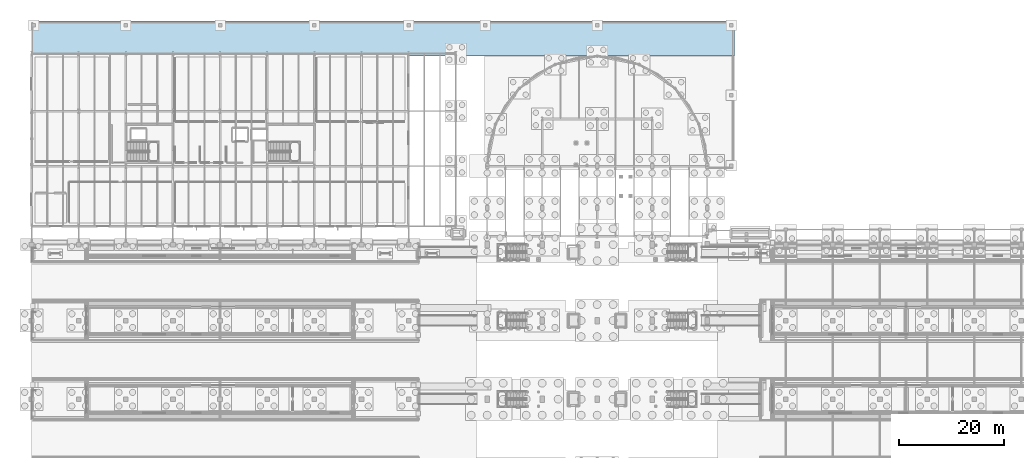
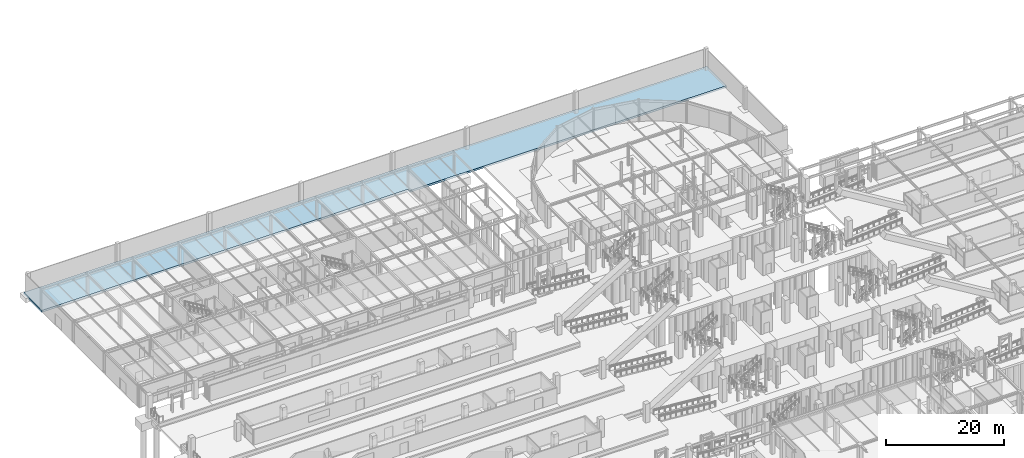
# One storey, part 95 of 160: 1 slab.
"""IFC4 building model written with IfcOpenShell, lengths in metres."""

import ifcopenshell
import ifcopenshell.guid

model = None  # the IFC model being written
_history = None  # IfcOwnerHistory: only IFC2X3 demands one
_inside = {}  # id of a spatial element -> (the spatial element, [elements in it])
_under = {}  # id of a project, library or spatial element -> (it, [spatial elements below it])
_declared = {}  # id of a project -> (the project, [libraries it declares])
_typed = {}  # id of a type object -> (the type object, [elements of that type])
_made_of = {}  # id of a material, layer set ... -> (it, [elements and type objects made of it])


def new_model(schema):
    """Start an empty IFC model of exactly this schema.

    Asked for "IFC4X3", IfcOpenShell would pick the latest addendum, in which some entities
    have other attributes; the version numbers below select the first issue.
    IFC2X3 requires an IfcOwnerHistory on every rooted entity: one is made here for all.
    """
    global model, _history
    if schema == "IFC4X3":
        model = ifcopenshell.file(schema_version=(4, 3, 0, 0))
    else:
        model = ifcopenshell.file(schema=schema)
    _inside.clear()
    _under.clear()
    _declared.clear()
    _typed.clear()
    _made_of.clear()
    _history = None
    if model.schema == "IFC2X3":
        org = make("IfcOrganization", Name="unknown")
        user = make(
            "IfcPersonAndOrganization",
            ThePerson=make("IfcPerson", FamilyName="unknown"),
            TheOrganization=org,
        )
        app = make(
            "IfcApplication",
            ApplicationDeveloper=org,
            Version="unknown",
            ApplicationFullName="unknown",
            ApplicationIdentifier="unknown",
        )
        _history = make(
            "IfcOwnerHistory",
            OwningUser=user,
            OwningApplication=app,
            ChangeAction="ADDED",
            CreationDate=0,
        )
    return model


def make(cls, **values):
    """One entity of the class cls with the attributes given. An attribute that is None is left unset."""
    return model.create_entity(
        cls, **{name: value for name, value in values.items() if value is not None}
    )


def rooted(cls, **values):
    """An entity with a GlobalId (a new one), such as an element, a storey or a relation."""
    return make(cls, GlobalId=ifcopenshell.guid.new(), OwnerHistory=_history, **values)


def si_unit(unit_type, name, prefix=None):
    """IfcSIUnit, for example si_unit("LENGTHUNIT", "METRE", prefix="MILLI")."""
    return make("IfcSIUnit", UnitType=unit_type, Prefix=prefix, Name=name)


def assignment(units):
    """IfcUnitAssignment: the units of a project."""
    return None if units is None else make("IfcUnitAssignment", Units=units)


def point(xyz):
    """IfcCartesianPoint."""
    return None if xyz is None else make("IfcCartesianPoint", Coordinates=xyz)


def direction(xyz):
    """IfcDirection."""
    return None if xyz is None else make("IfcDirection", DirectionRatios=xyz)


def frame(location, z_axis=None, x_axis=None):
    """IfcAxis2Placement3D, a coordinate frame: its origin and axes. An axis left out is left unset."""
    return make(
        "IfcAxis2Placement3D",
        Location=point(location),
        Axis=direction(z_axis),
        RefDirection=direction(x_axis),
    )


def origin():
    """The frame at (0, 0, 0) with its axes left unset."""
    return frame((0.0, 0.0, 0.0))


def place(relative_to, where):
    """IfcLocalPlacement: puts the frame where relative to a parent placement (None: the world)."""
    return make(
        "IfcLocalPlacement", PlacementRelTo=relative_to, RelativePlacement=where
    )


def context(
    kind, dimensions, precision=None, world=None, true_north=None, identifier=None
):
    """IfcGeometricRepresentationContext, for example the 3D "Model" context."""
    return make(
        "IfcGeometricRepresentationContext",
        ContextIdentifier=identifier,
        ContextType=kind,
        CoordinateSpaceDimension=dimensions,
        Precision=precision,
        WorldCoordinateSystem=world,
        TrueNorth=true_north,
    )


def subcontext(parent, identifier, kind, view, scale=None):
    """IfcGeometricRepresentationSubContext, for example "Body" below "Model"."""
    return make(
        "IfcGeometricRepresentationSubContext",
        ContextIdentifier=identifier,
        ContextType=kind,
        ParentContext=parent,
        TargetScale=scale,
        TargetView=view,
    )


def project(units=None, contexts=None):
    """IfcProject with its units and contexts."""
    return rooted(
        "IfcProject",
        Name="project",
        RepresentationContexts=contexts,
        UnitsInContext=assignment(units),
    )


def spatial(cls, under=None, at=None, **own):
    """A site, building, storey or space (cls), placed at a placement, below another one or the project."""
    s = rooted(cls, ObjectPlacement=at, **own)
    if under is not None:
        _under.setdefault(under.id(), (under, []))[1].append(s)
    return s


def polyline(points):
    """IfcPolyline through the points."""
    return make("IfcPolyline", Points=[point(p) for p in points])


def outline(outer, holes=None, kind="AREA"):
    """IfcArbitraryClosedProfileDef: a profile drawn as a closed curve; with holes, ...WithVoids."""
    if holes is None:
        return make("IfcArbitraryClosedProfileDef", ProfileType=kind, OuterCurve=outer)
    return make(
        "IfcArbitraryProfileDefWithVoids",
        ProfileType=kind,
        OuterCurve=outer,
        InnerCurves=holes,
    )


def extrude(swept, where, along, depth):
    """IfcExtrudedAreaSolid: the profile swept, set in the frame where, extruded along a direction by depth."""
    return make(
        "IfcExtrudedAreaSolid",
        SweptArea=swept,
        Position=where,
        ExtrudedDirection=direction(along),
        Depth=depth,
    )


def shape(context_of_items, identifier, shape_type, items):
    """IfcShapeRepresentation: the items that make up one representation, for example the "Body"."""
    return make(
        "IfcShapeRepresentation",
        ContextOfItems=context_of_items,
        RepresentationIdentifier=identifier,
        RepresentationType=shape_type,
        Items=items,
    )


def material(Name=None, Category=None):
    """IfcMaterial."""
    return make("IfcMaterial", Name=Name, Category=Category)


def layer(
    of_material, thickness, ventilated=None, Name=None, Category=None, Priority=None
):
    """IfcMaterialLayer: one layer of a wall or slab, of a material (None: an air gap)."""
    return make(
        "IfcMaterialLayer",
        Material=of_material,
        LayerThickness=thickness,
        IsVentilated=ventilated,
        Name=Name,
        Category=Category,
        Priority=Priority,
    )


def layer_set(layers, Name=None):
    """IfcMaterialLayerSet."""
    return make("IfcMaterialLayerSet", MaterialLayers=layers, LayerSetName=Name)


def made_of(thing, what):
    """Note that an element or type object is made of a material, layer set ...; save() writes the relation."""
    if what is not None:
        _made_of.setdefault(what.id(), (what, []))[1].append(thing)
    return thing


def type_object(cls, material=None, **own):
    """A type object (cls), such as IfcWallType, which elements share."""
    return made_of(rooted(cls, **own), material)


def element(
    cls,
    number,
    at=None,
    inside=None,
    cuts=None,
    type_object=None,
    material=None,
    context=None,
    identifier="Body",
    shape_type=None,
    held_by="IfcProductDefinitionShape",
    body=None,
    shapes=None,
    **own,
):
    """One element of the class cls, such as IfcWall. Its Tag is "e" and its number.

    at: its placement. inside: the storey or other place that contains it. cuts: it is an
    opening in that element (IfcRelVoidsElement). A single representation is given by context,
    identifier, shape_type and body (its items); several are given by shapes. held_by: the class
    of the entity that holds the representations. save() writes the other relations.
    """
    e = rooted(cls, Tag="e%d" % number, ObjectPlacement=at, **own)
    if body is not None:
        shapes = [shape(context, identifier, shape_type, body)]
    if shapes is not None:
        e.Representation = make(held_by, Representations=shapes)
    if inside is not None:
        _inside.setdefault(inside.id(), (inside, []))[1].append(e)
    if cuts is not None:
        rooted(
            "IfcRelVoidsElement", RelatingBuildingElement=cuts, RelatedOpeningElement=e
        )
    if type_object is not None:
        _typed.setdefault(type_object.id(), (type_object, []))[1].append(e)
    return made_of(e, material)


def aggregate(whole, parts):
    """IfcRelAggregates: a whole, such as a stair, and the parts it consists of."""
    return rooted("IfcRelAggregates", RelatingObject=whole, RelatedObjects=parts)


def save(model, path):
    """Write the relations noted so far, then the file.

    IfcRelAggregates (storeys below a building ...), IfcRelContainedInSpatialStructure (elements
    in a storey), IfcRelDefinesByType, IfcRelAssociatesMaterial and IfcRelDeclares: one each for
    every whole, place, type object, material and project.
    """
    for whole, parts in _under.values():
        aggregate(whole, parts)
    for where, things in _inside.values():
        rooted(
            "IfcRelContainedInSpatialStructure",
            RelatedElements=things,
            RelatingStructure=where,
        )
    for kind, things in _typed.values():
        rooted("IfcRelDefinesByType", RelatedObjects=things, RelatingType=kind)
    for what, things in _made_of.values():
        rooted("IfcRelAssociatesMaterial", RelatedObjects=things, RelatingMaterial=what)
    for by, libraries in _declared.values():
        rooted("IfcRelDeclares", RelatingContext=by, RelatedDefinitions=libraries)
    model.write(path)


model = new_model("IFC4")

# Units and contexts
model_context = context("Model", 3, precision=1e-05, world=origin(), true_north=direction((0.0, 1.0)))
body_context = subcontext(model_context, "Body", "Model", "MODEL_VIEW")
ifc_project = project(units=[si_unit("LENGTHUNIT", "METRE"), si_unit("AREAUNIT", "SQUARE_METRE"), si_unit("VOLUMEUNIT", "CUBIC_METRE"), si_unit("PLANEANGLEUNIT", "RADIAN"), si_unit("MASSUNIT", "GRAM", prefix="KILO")], contexts=[model_context])

# Site, building, storey
site_placement = place(None, origin())
site = spatial("IfcSite", under=ifc_project, at=site_placement, CompositionType="ELEMENT")
building_placement = place(site_placement, origin())
building = spatial("IfcBuilding", under=site, at=building_placement, Name="Marlcrest Central Station", CompositionType="ELEMENT")
storey_placement = place(building_placement, origin())
storey = spatial("IfcBuildingStorey", under=building, at=storey_placement, Name="L00", CompositionType="ELEMENT", Elevation=0.0)

# Slab
ifc_material = material(Name="Concrete C35/45", Category="concrete")
ifc_layer = layer(ifc_material, 0.39990234375, Name="BS-02")
ifc_layer_set = layer_set([ifc_layer], Name="Concrete C35/45")
slab_type = type_object("IfcSlabType", Name="BS-02", PredefinedType="BASESLAB", material=ifc_layer_set)
slab_placement = place(storey_placement, frame((0.0, 0.0, -0.39990234375)))
element("IfcSlab", 1, at=slab_placement, inside=storey, type_object=slab_type, Name="slab-L00-0025", PredefinedType="BASESLAB", context=body_context, shape_type="SweptSolid", body=[
    extrude(outline(polyline([(0.0, 138.199951171875), (134.199951171875, 138.199951171875), (134.199951171875, 131.5), (72.0, 131.5), (72.0, 132.0), (0.0, 132.0), (0.0, 138.199951171875)])), origin(), (0.0, 0.0, 1.0), 0.39990234375),
])

save(model, "model.ifc")
